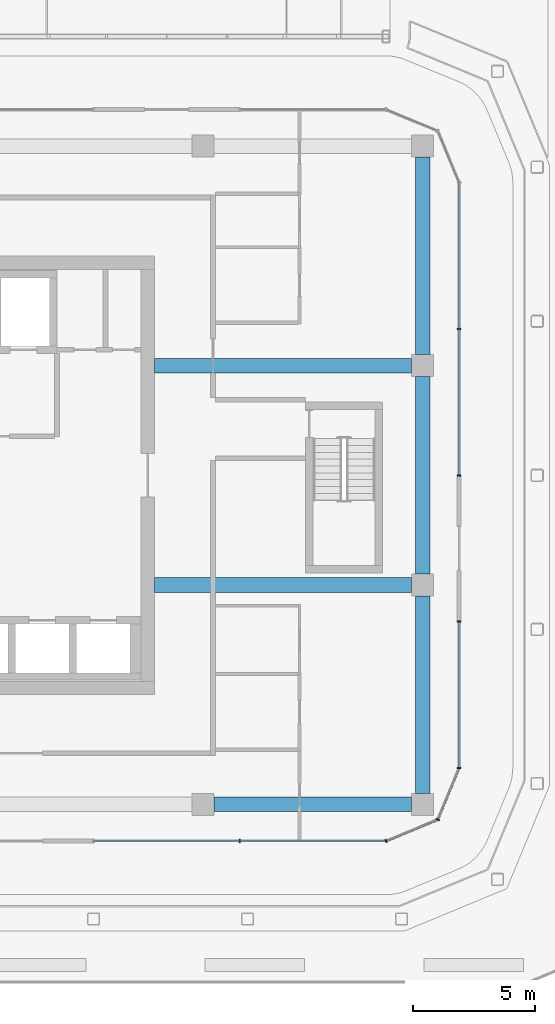
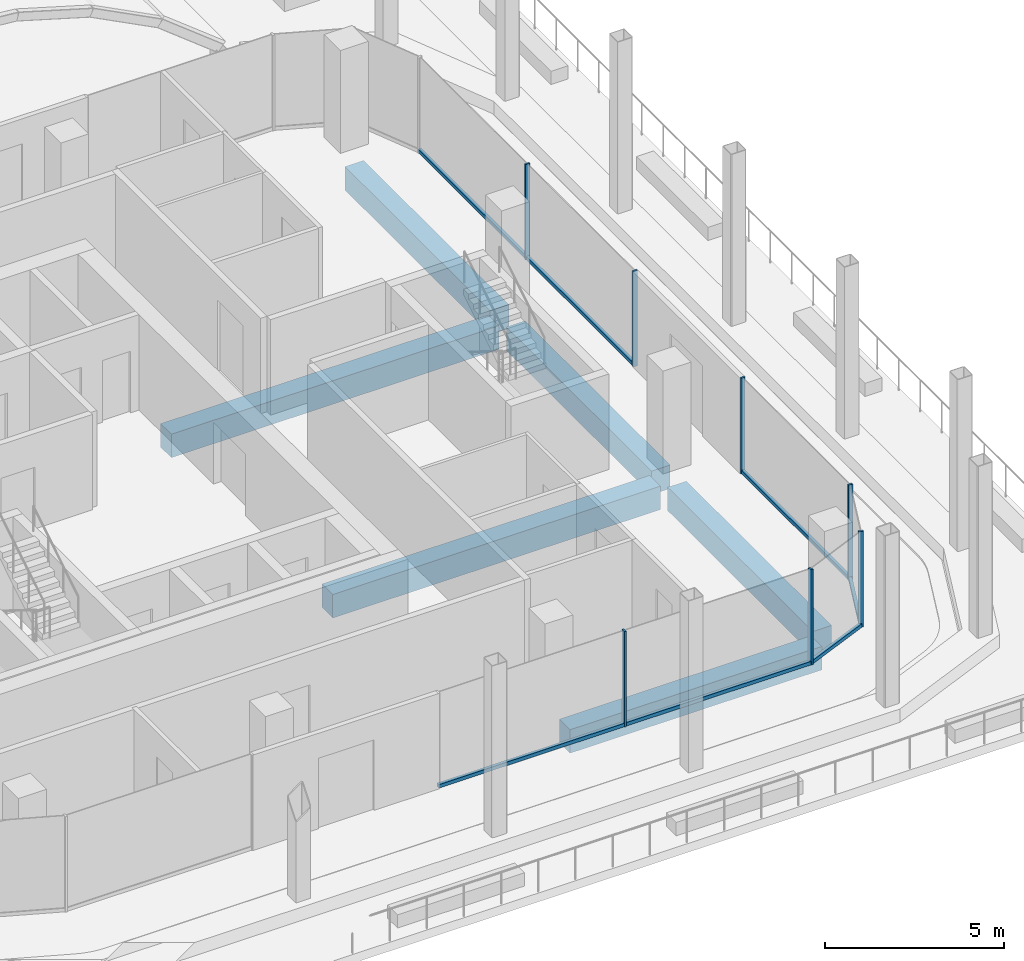
# One storey, part 15 of 33: 12 members, 6 beams, 5 elements without a shape of their own.
"""IFC4 building model written with IfcOpenShell, lengths in metres."""

from ifc_helpers import new_model, si_unit, direction, frame, origin, origin_2d, place, context, subcontext, project, spatial, rectangle, extrude, material, layer, layer_set, material_profile, profile_set, type_object, element, aggregate, save


model = new_model("IFC4")

# Units and contexts
model_context = context("Model", 3, precision=1e-05, world=origin(), true_north=direction((0.0, 1.0)))
body_context = subcontext(model_context, "Body", "Model", "MODEL_VIEW")
ifc_project = project(units=[si_unit("LENGTHUNIT", "METRE"), si_unit("AREAUNIT", "SQUARE_METRE"), si_unit("VOLUMEUNIT", "CUBIC_METRE"), si_unit("PLANEANGLEUNIT", "RADIAN"), si_unit("MASSUNIT", "GRAM", prefix="KILO")], contexts=[model_context])

# Site, building, storey
site_placement = place(None, origin())
site = spatial("IfcSite", under=ifc_project, at=site_placement, CompositionType="ELEMENT")
building_placement = place(site_placement, origin())
building = spatial("IfcBuilding", under=site, at=building_placement, Name="Plateau Cross Towers", CompositionType="ELEMENT")
storey_placement = place(building_placement, frame((0.0, 0.0, 26.800048828125)))
storey = spatial("IfcBuildingStorey", under=building, at=storey_placement, Name="L05", CompositionType="ELEMENT", Elevation=26.800048828125)

# Beams
ifc_material_1 = material(Name="Concrete C60/75", Category="concrete")
ifc_material_profile_1 = material_profile(ifc_material_1, rectangle(XDim=0.60009765625, YDim=0.800048828125, at=origin_2d()), Name="RC 600x800")
ifc_profile_set_1 = profile_set([ifc_material_profile_1], Name="Concrete C60/75")
beam_type_1 = type_object("IfcBeamType", Name="Core beam RC 600x800", PredefinedType="BEAM", material=ifc_profile_set_1)
for number, where, z_axis, x_axis, name in (
    (1, (89.5, 4.5, -0.900146484375), (1.0, 0.0, 0.0), (0.0, 1.0, 0.0), "B-CB02@L05"),
    (2, (89.5, 13.5, -0.900146484375), (1.0, 0.0, 0.0), (0.0, 1.0, 0.0), "B-CB03@L05"),
):
    element("IfcBeam", number, at=place(storey_placement, frame(where, z_axis=z_axis, x_axis=x_axis)), inside=storey, type_object=beam_type_1, Name=name, PredefinedType="BEAM", context=body_context, shape_type="SweptSolid", body=[
        extrude(rectangle(XDim=0.60009765625, YDim=0.800048828125, at=origin_2d()), origin(), (0.0, 0.0, 1.0), 10.550048828125),
    ])

# Curtain wall, member
ifc_material_2 = material(Name="Dark low-iron glass", Category="glass")
ifc_layer = layer(ifc_material_2, 0.239990234375)
ifc_layer_set = layer_set([ifc_layer], Name="Dark low-iron glass")
curtain_wall_type = type_object("IfcCurtainWallType", Name="Curtain wall office unitised CW-F", PredefinedType="NOTDEFINED", material=ifc_layer_set)
curtain_wall_1_placement = place(storey_placement, origin())
curtain_wall_1 = element("IfcCurtainWall", 3, at=curtain_wall_1_placement, inside=storey, type_object=curtain_wall_type, Name="ENV/B/L05/B870_-60", PredefinedType="NOTDEFINED")
ifc_material_3 = material(Name="Black anodised aluminium", Category="aluminium")
ifc_material_profile_2 = material_profile(ifc_material_3, rectangle(XDim=0.06005859375, YDim=0.139892578125, at=origin_2d()), Name="MULLION 60x140")
ifc_profile_set_2 = profile_set([ifc_material_profile_2], Name="Black anodised aluminium")
member_type_1 = type_object("IfcMemberType", Name="Mullion 60x140 office unitised", PredefinedType="MULLION", material=ifc_profile_set_2)
member_1_placement = place(storey_placement, frame((93.0, -6.0, 0.0), z_axis=(0.0, 0.0, 1.0), x_axis=(1.0, 0.0, 0.0)))
member_1 = element("IfcMember", 4, at=member_1_placement, type_object=member_type_1, Name="CW-F mullion 2", PredefinedType="MULLION", context=body_context, shape_type="SweptSolid", body=[
    extrude(rectangle(XDim=0.06005859375, YDim=0.139892578125, at=origin_2d()), origin(), (0.0, 0.0, 1.0), 3.25),
])

curtain_wall_2_placement = place(storey_placement, origin())
curtain_wall_2 = element("IfcCurtainWall", 5, at=curtain_wall_2_placement, inside=storey, type_object=curtain_wall_type, Name="ENV/B/L05/B990_-60", PredefinedType="NOTDEFINED")
member_2_placement = place(storey_placement, frame((99.0, -6.0, 0.0), z_axis=(0.0, 0.0, 1.0), x_axis=(0.923879457699, 0.382683612978, 0.0)))
member_2 = element("IfcMember", 6, at=member_2_placement, type_object=member_type_1, Name="CW-F mullion 1", PredefinedType="MULLION", context=body_context, shape_type="SweptSolid", body=[
    extrude(rectangle(XDim=0.06005859375, YDim=0.139892578125, at=origin_2d()), origin(), (0.0, 0.0, 1.0), 3.25),
])

curtain_wall_3_placement = place(storey_placement, origin())
curtain_wall_3 = element("IfcCurtainWall", 7, at=curtain_wall_3_placement, inside=storey, type_object=curtain_wall_type, Name="ENV/B/L05/B1011_-51", PredefinedType="NOTDEFINED")
member_3_placement = place(storey_placement, frame((101.121337890625, -5.121337890625, 0.0), z_axis=(0.0, 0.0, 1.0), x_axis=(0.382683612978, 0.923879457699, 0.0)))
member_3 = element("IfcMember", 8, at=member_3_placement, type_object=member_type_1, Name="CW-F mullion 1", PredefinedType="MULLION", context=body_context, shape_type="SweptSolid", body=[
    extrude(rectangle(XDim=0.06005859375, YDim=0.139892578125, at=origin_2d()), origin(), (0.0, 0.0, 1.0), 3.25),
])

# Curtain wall, members
curtain_wall_4_placement = place(storey_placement, origin())
curtain_wall_4 = element("IfcCurtainWall", 9, at=curtain_wall_4_placement, inside=storey, type_object=curtain_wall_type, Name="ENV/B/L05/B1020_-30", PredefinedType="NOTDEFINED")
member_4_placement = place(storey_placement, frame((102.0, -3.0, 0.0), z_axis=(0.0, 0.0, 1.0), x_axis=(0.0, 1.0, 0.0)))
member_4 = element("IfcMember", 10, at=member_4_placement, type_object=member_type_1, Name="CW-F mullion 1", PredefinedType="MULLION", context=body_context, shape_type="SweptSolid", body=[
    extrude(rectangle(XDim=0.06005859375, YDim=0.139892578125, at=origin_2d()), origin(), (0.0, 0.0, 1.0), 3.25),
])
member_5_placement = place(storey_placement, frame((102.0, 3.0, 0.0), z_axis=(0.0, 0.0, 1.0), x_axis=(0.0, 1.0, 0.0)))
member_5 = element("IfcMember", 11, at=member_5_placement, type_object=member_type_1, Name="CW-F mullion 2", PredefinedType="MULLION", context=body_context, shape_type="SweptSolid", body=[
    extrude(rectangle(XDim=0.06005859375, YDim=0.139892578125, at=origin_2d()), origin(), (0.0, 0.0, 1.0), 3.25),
])

curtain_wall_5_placement = place(storey_placement, origin())
curtain_wall_5 = element("IfcCurtainWall", 12, at=curtain_wall_5_placement, inside=storey, type_object=curtain_wall_type, Name="ENV/B/L05/B1020_90", PredefinedType="NOTDEFINED")
member_6_placement = place(storey_placement, frame((102.0, 9.0, 0.0), z_axis=(0.0, 0.0, 1.0), x_axis=(0.0, 1.0, 0.0)))
member_6 = element("IfcMember", 13, at=member_6_placement, type_object=member_type_1, Name="CW-F mullion 1", PredefinedType="MULLION", context=body_context, shape_type="SweptSolid", body=[
    extrude(rectangle(XDim=0.06005859375, YDim=0.139892578125, at=origin_2d()), origin(), (0.0, 0.0, 1.0), 3.25),
])
member_7_placement = place(storey_placement, frame((102.0, 15.0, 0.0), z_axis=(0.0, 0.0, 1.0), x_axis=(0.0, 1.0, 0.0)))
member_7 = element("IfcMember", 14, at=member_7_placement, type_object=member_type_1, Name="CW-F mullion 2", PredefinedType="MULLION", context=body_context, shape_type="SweptSolid", body=[
    extrude(rectangle(XDim=0.06005859375, YDim=0.139892578125, at=origin_2d()), origin(), (0.0, 0.0, 1.0), 3.25),
])

# Beams
ifc_material_profile_3 = material_profile(ifc_material_1, rectangle(XDim=0.60009765625, YDim=0.800048828125, at=origin_2d()), Name="RC 600x800")
ifc_profile_set_3 = profile_set([ifc_material_profile_3], Name="Concrete C60/75")
beam_type_2 = type_object("IfcBeamType", Name="Ring beam RC 600x800", PredefinedType="BEAM", material=ifc_profile_set_3)
for number, where, z_axis, x_axis, name in (
    (15, (91.949951171875, -4.5, -0.900146484375), (1.0, 0.0, 0.0), (0.0, 1.0, 0.0), "B-RB02@L05"),
    (16, (100.5, -4.050048828125, -0.900146484375), (0.0, 1.0, 0.0), (-1.0, 0.0, 0.0), "B-RB03@L05"),
    (17, (100.5, 4.949951171875, -0.900146484375), (0.0, 1.0, 0.0), (-1.0, 0.0, 0.0), "B-RB04@L05"),
    (18, (100.5, 13.949951171875, -0.900146484375), (0.0, 1.0, 0.0), (-1.0, 0.0, 0.0), "B-RB05@L05"),
):
    element("IfcBeam", number, at=place(storey_placement, frame(where, z_axis=z_axis, x_axis=x_axis)), inside=storey, type_object=beam_type_2, Name=name, PredefinedType="BEAM", context=body_context, shape_type="SweptSolid", body=[
        extrude(rectangle(XDim=0.60009765625, YDim=0.800048828125, at=origin_2d()), origin(), (0.0, 0.0, 1.0), 8.10009765625),
    ])

# Member
ifc_material_profile_4 = material_profile(ifc_material_3, rectangle(XDim=0.10009765625, YDim=0.1201171875, at=origin_2d()), Name="TRANSOM 100x120")
ifc_profile_set_4 = profile_set([ifc_material_profile_4], Name="Black anodised aluminium")
member_type_2 = type_object("IfcMemberType", Name="Transom 100x120 office unitised", PredefinedType="USERDEFINED", material=ifc_profile_set_4)
member_8_placement = place(storey_placement, frame((87.0, -6.0, 0.06005859375), z_axis=(1.0, 0.0, 0.0), x_axis=(0.0, 1.0, 0.0)))
member_8 = element("IfcMember", 19, at=member_8_placement, type_object=member_type_2, Name="CW-F transom", ObjectType="TRANSOM", PredefinedType="USERDEFINED", context=body_context, shape_type="SweptSolid", body=[
    extrude(rectangle(XDim=0.10009765625, YDim=0.1201171875, at=origin_2d()), origin(), (0.0, 0.0, 1.0), 12.0),
])

aggregate(curtain_wall_1, [member_1, member_8])

member_9_placement = place(storey_placement, frame((99.0, -6.0, 0.06005859375), z_axis=(0.923883353507, 0.382674207535, 0.0), x_axis=(-0.382674207535, 0.923883353507, 0.0)))
member_9 = element("IfcMember", 20, at=member_9_placement, type_object=member_type_2, Name="CW-F transom", ObjectType="TRANSOM", PredefinedType="USERDEFINED", context=body_context, shape_type="SweptSolid", body=[
    extrude(rectangle(XDim=0.10009765625, YDim=0.1201171875, at=origin_2d()), origin(), (0.0, 0.0, 1.0), 2.296142578125),
])

aggregate(curtain_wall_2, [member_2, member_9])

member_10_placement = place(storey_placement, frame((101.121337890625, -5.121337890625, 0.06005859375), z_axis=(0.382674207535, 0.923883353507, 0.0), x_axis=(-0.923883353507, 0.382674207535, 0.0)))
member_10 = element("IfcMember", 21, at=member_10_placement, type_object=member_type_2, Name="CW-F transom", ObjectType="TRANSOM", PredefinedType="USERDEFINED", context=body_context, shape_type="SweptSolid", body=[
    extrude(rectangle(XDim=0.10009765625, YDim=0.1201171875, at=origin_2d()), origin(), (0.0, 0.0, 1.0), 2.296142578125),
])

aggregate(curtain_wall_3, [member_3, member_10])

member_11_placement = place(storey_placement, frame((102.0, -3.0, 0.06005859375), z_axis=(0.0, 1.0, 0.0), x_axis=(-1.0, 0.0, 0.0)))
member_11 = element("IfcMember", 22, at=member_11_placement, type_object=member_type_2, Name="CW-F transom", ObjectType="TRANSOM", PredefinedType="USERDEFINED", context=body_context, shape_type="SweptSolid", body=[
    extrude(rectangle(XDim=0.10009765625, YDim=0.1201171875, at=origin_2d()), origin(), (0.0, 0.0, 1.0), 6.0),
])

aggregate(curtain_wall_4, [member_4, member_5, member_11])

member_12_placement = place(storey_placement, frame((102.0, 9.0, 0.06005859375), z_axis=(0.0, 1.0, 0.0), x_axis=(-1.0, 0.0, 0.0)))
member_12 = element("IfcMember", 23, at=member_12_placement, type_object=member_type_2, Name="CW-F transom", ObjectType="TRANSOM", PredefinedType="USERDEFINED", context=body_context, shape_type="SweptSolid", body=[
    extrude(rectangle(XDim=0.10009765625, YDim=0.1201171875, at=origin_2d()), origin(), (0.0, 0.0, 1.0), 12.0),
])

aggregate(curtain_wall_5, [member_6, member_7, member_12])

save(model, "model.ifc")
